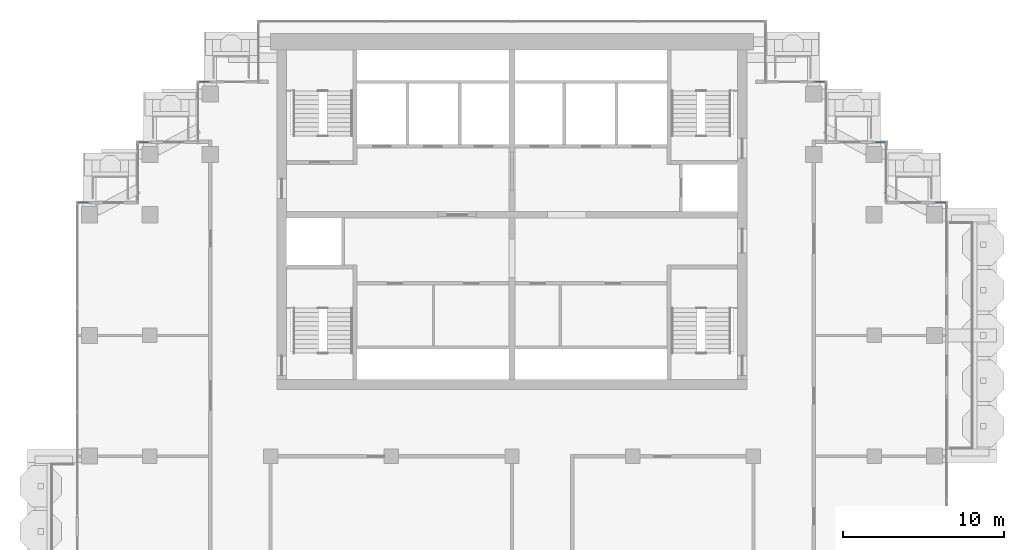
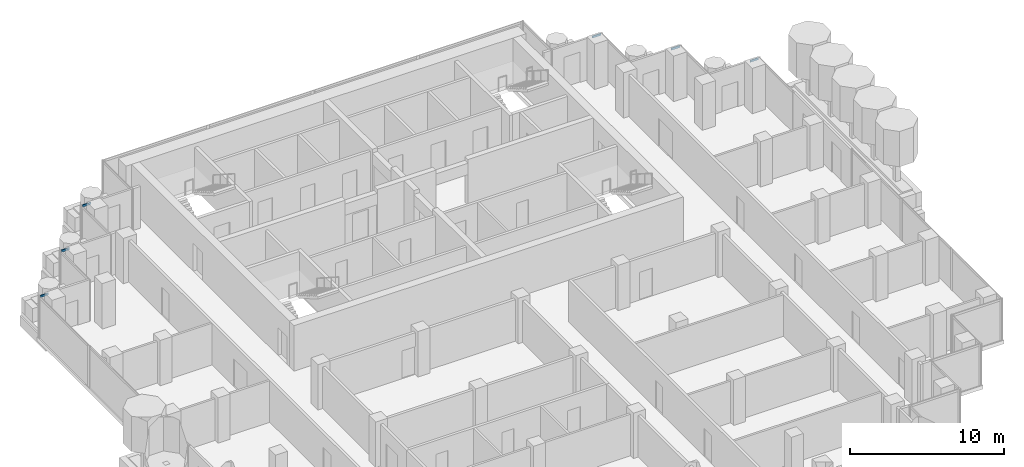
# One storey, part 7 of 18: 6 members, 6 elements without a shape of their own.
"""IFC4 building model written with IfcOpenShell, lengths in metres."""

from ifc_helpers import new_model, si_unit, direction, frame, origin, origin_2d, place, context, subcontext, project, spatial, rectangle, extrude, material, material_profile, profile_set, type_object, element, aggregate, save


model = new_model("IFC4")

# Units and contexts
model_context = context("Model", 3, precision=1e-05, world=origin(), true_north=direction((0.0, 1.0)))
body_context = subcontext(model_context, "Body", "Model", "MODEL_VIEW")
ifc_project = project(units=[si_unit("LENGTHUNIT", "METRE"), si_unit("AREAUNIT", "SQUARE_METRE"), si_unit("VOLUMEUNIT", "CUBIC_METRE"), si_unit("PLANEANGLEUNIT", "RADIAN"), si_unit("MASSUNIT", "GRAM", prefix="KILO")], contexts=[model_context])

# Site, building, storey
site_placement = place(None, origin())
site = spatial("IfcSite", under=ifc_project, at=site_placement, CompositionType="ELEMENT")
building_placement = place(site_placement, origin())
building = spatial("IfcBuilding", under=site, at=building_placement, Name="Pilkhan Gate Tower", CompositionType="ELEMENT")
storey_placement = place(building_placement, frame((0.0, 0.0, 203.10009765625)))
storey = spatial("IfcBuildingStorey", under=building, at=storey_placement, Name="L52", CompositionType="ELEMENT", Elevation=203.10009765625)

# Curtain wall, member
ifc_material_1 = material(Name="Pale anodised aluminium, clear low-iron double glazing", Category="aluminium")
curtain_wall_type = type_object("IfcCurtainWallType", Name="Office unitised curtain wall CW-O2", PredefinedType="USERDEFINED", material=ifc_material_1)
curtain_wall_1_placement = place(storey_placement, origin())
curtain_wall_1 = element("IfcCurtainWall", 1, at=curtain_wall_1_placement, inside=storey, type_object=curtain_wall_type, Name="Office unitised curtain wall CW-O2 L52 N", ObjectType="UNITISED CURTAIN WALL", PredefinedType="USERDEFINED")
ifc_material_2 = material(Name="Pale anodised aluminium", Category="aluminium")
ifc_material_profile = material_profile(ifc_material_2, rectangle(XDim=0.06494140625, YDim=0.1650390625, at=origin_2d()), Name="Transom 165x65")
ifc_profile_set = profile_set([ifc_material_profile], Name="Pale anodised aluminium")
member_type = type_object("IfcMemberType", Name="Transom CW-O2 165x65", PredefinedType="USERDEFINED", material=ifc_profile_set)
member_1_placement = place(storey_placement, frame((101.31494140625, 83.25, 3.21728515625), z_axis=(1.0, 0.0, 0.0), x_axis=(0.0, 1.0, 0.0)))
member_1 = element("IfcMember", 2, at=member_1_placement, type_object=member_type, Name="CW-O2 transom 1", ObjectType="TRANSOM", PredefinedType="USERDEFINED", context=body_context, shape_type="SweptSolid", body=[
    extrude(rectangle(XDim=0.06494140625, YDim=0.1650390625, at=origin_2d()), origin(), (0.0, 0.0, 1.0), 0.6201171875),
])
aggregate(curtain_wall_1, [member_1])

curtain_wall_2_placement = place(storey_placement, origin())
curtain_wall_2 = element("IfcCurtainWall", 3, at=curtain_wall_2_placement, inside=storey, type_object=curtain_wall_type, Name="Office unitised curtain wall CW-O2 L52 N", ObjectType="UNITISED CURTAIN WALL", PredefinedType="USERDEFINED")
member_2_placement = place(storey_placement, frame((97.56494140625, 87.0, 3.21728515625), z_axis=(1.0, 0.0, 0.0), x_axis=(0.0, 1.0, 0.0)))
member_2 = element("IfcMember", 4, at=member_2_placement, type_object=member_type, Name="CW-O2 transom 1", ObjectType="TRANSOM", PredefinedType="USERDEFINED", context=body_context, shape_type="SweptSolid", body=[
    extrude(rectangle(XDim=0.06494140625, YDim=0.1650390625, at=origin_2d()), origin(), (0.0, 0.0, 1.0), 0.6201171875),
])
aggregate(curtain_wall_2, [member_2])

curtain_wall_3_placement = place(storey_placement, origin())
curtain_wall_3 = element("IfcCurtainWall", 5, at=curtain_wall_3_placement, inside=storey, type_object=curtain_wall_type, Name="Office unitised curtain wall CW-O2 L52 N", ObjectType="UNITISED CURTAIN WALL", PredefinedType="USERDEFINED")
member_3_placement = place(storey_placement, frame((93.81494140625, 90.75, 3.21728515625), z_axis=(1.0, 0.0, 0.0), x_axis=(0.0, 1.0, 0.0)))
member_3 = element("IfcMember", 6, at=member_3_placement, type_object=member_type, Name="CW-O2 transom 1", ObjectType="TRANSOM", PredefinedType="USERDEFINED", context=body_context, shape_type="SweptSolid", body=[
    extrude(rectangle(XDim=0.06494140625, YDim=0.1650390625, at=origin_2d()), origin(), (0.0, 0.0, 1.0), 0.6201171875),
])
aggregate(curtain_wall_3, [member_3])

curtain_wall_4_placement = place(storey_placement, origin())
curtain_wall_4 = element("IfcCurtainWall", 7, at=curtain_wall_4_placement, inside=storey, type_object=curtain_wall_type, Name="Office unitised curtain wall CW-O2 L52 N", ObjectType="UNITISED CURTAIN WALL", PredefinedType="USERDEFINED")
member_4_placement = place(storey_placement, frame((55.56494140625, 90.75, 3.21728515625), z_axis=(1.0, 0.0, 0.0), x_axis=(0.0, 1.0, 0.0)))
member_4 = element("IfcMember", 8, at=member_4_placement, type_object=member_type, Name="CW-O2 transom 1", ObjectType="TRANSOM", PredefinedType="USERDEFINED", context=body_context, shape_type="SweptSolid", body=[
    extrude(rectangle(XDim=0.06494140625, YDim=0.1650390625, at=origin_2d()), origin(), (0.0, 0.0, 1.0), 0.6201171875),
])
aggregate(curtain_wall_4, [member_4])

curtain_wall_5_placement = place(storey_placement, origin())
curtain_wall_5 = element("IfcCurtainWall", 9, at=curtain_wall_5_placement, inside=storey, type_object=curtain_wall_type, Name="Office unitised curtain wall CW-O2 L52 N", ObjectType="UNITISED CURTAIN WALL", PredefinedType="USERDEFINED")
member_5_placement = place(storey_placement, frame((51.81494140625, 87.0, 3.21728515625), z_axis=(1.0, 0.0, 0.0), x_axis=(0.0, 1.0, 0.0)))
member_5 = element("IfcMember", 10, at=member_5_placement, type_object=member_type, Name="CW-O2 transom 1", ObjectType="TRANSOM", PredefinedType="USERDEFINED", context=body_context, shape_type="SweptSolid", body=[
    extrude(rectangle(XDim=0.06494140625, YDim=0.1650390625, at=origin_2d()), origin(), (0.0, 0.0, 1.0), 0.6201171875),
])
aggregate(curtain_wall_5, [member_5])

curtain_wall_6_placement = place(storey_placement, origin())
curtain_wall_6 = element("IfcCurtainWall", 11, at=curtain_wall_6_placement, inside=storey, type_object=curtain_wall_type, Name="Office unitised curtain wall CW-O2 L52 N", ObjectType="UNITISED CURTAIN WALL", PredefinedType="USERDEFINED")
member_6_placement = place(storey_placement, frame((48.06494140625, 83.25, 3.21728515625), z_axis=(1.0, 0.0, 0.0), x_axis=(0.0, 1.0, 0.0)))
member_6 = element("IfcMember", 12, at=member_6_placement, type_object=member_type, Name="CW-O2 transom 1", ObjectType="TRANSOM", PredefinedType="USERDEFINED", context=body_context, shape_type="SweptSolid", body=[
    extrude(rectangle(XDim=0.06494140625, YDim=0.1650390625, at=origin_2d()), origin(), (0.0, 0.0, 1.0), 0.6201171875),
])
aggregate(curtain_wall_6, [member_6])

save(model, "model.ifc")
